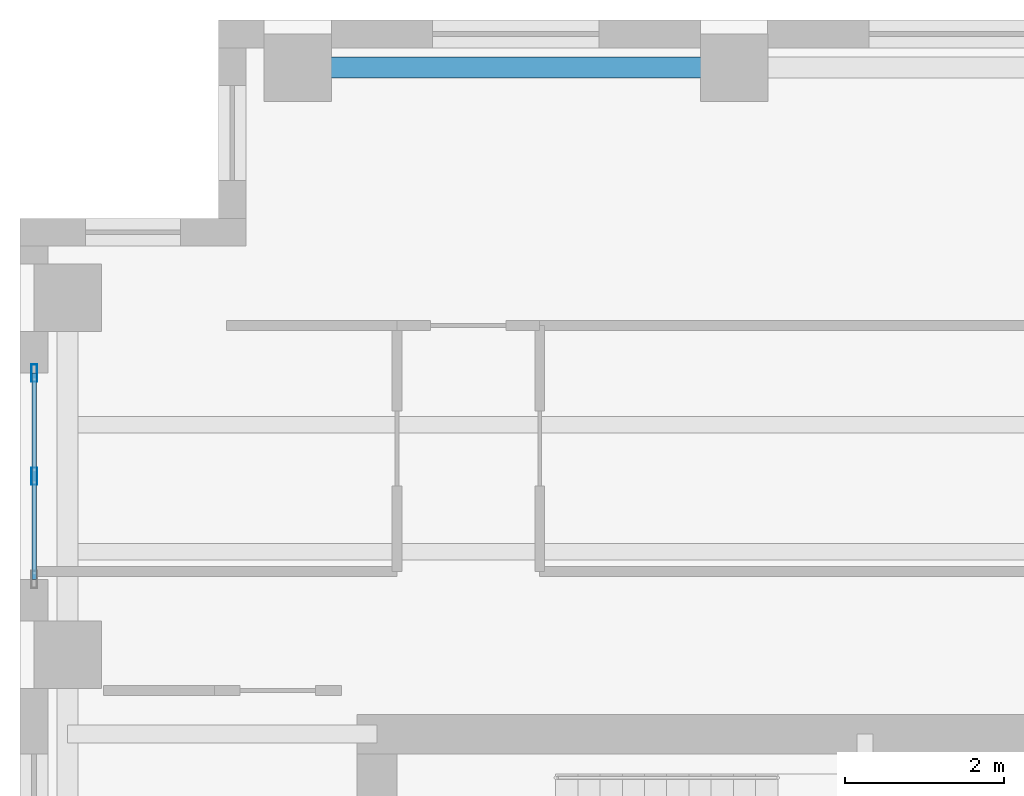
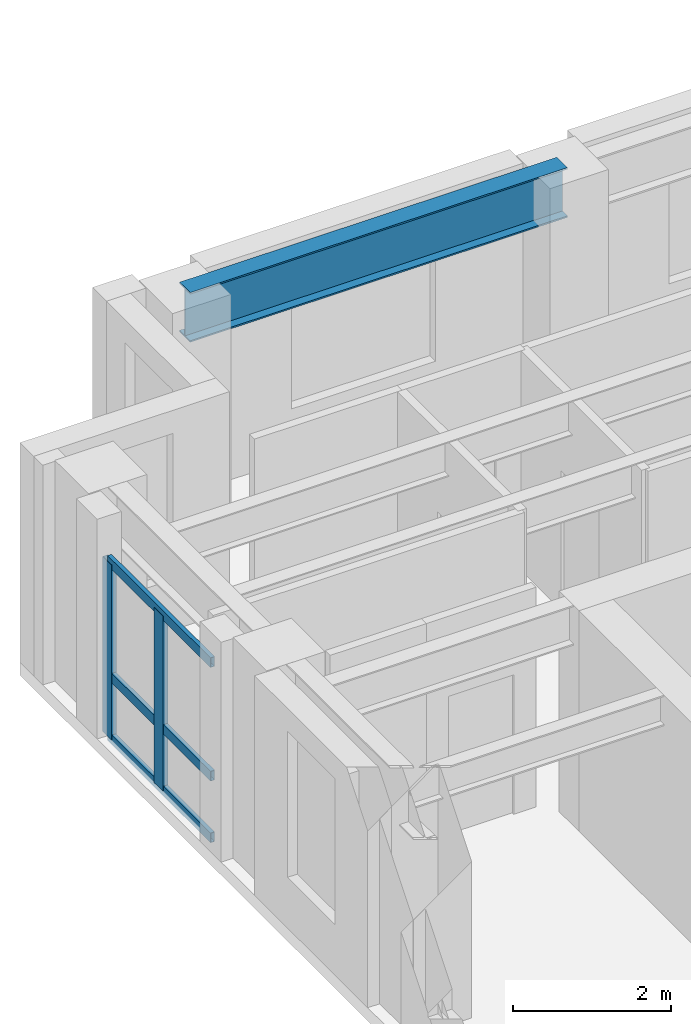
# One storey, part 4 of 14: 5 members, 1 beam, 1 element without a shape of its own.
"""IFC4 building model written with IfcOpenShell, lengths in metres."""

from ifc_helpers import new_model, si_unit, direction, frame, origin, origin_2d, place, context, subcontext, project, spatial, hollow_rectangle, i_section, extrude, source, transform, mapped, material, layer, layer_set, material_profile, profile_set, type_object, element, aggregate, save


model = new_model("IFC4")

# Units and contexts
model_context = context("Model", 3, precision=1e-05, world=origin(), true_north=direction((0.0, 1.0)))
body_context = subcontext(model_context, "Body", "Model", "MODEL_VIEW")
ifc_project = project(units=[si_unit("LENGTHUNIT", "METRE"), si_unit("AREAUNIT", "SQUARE_METRE"), si_unit("VOLUMEUNIT", "CUBIC_METRE"), si_unit("PLANEANGLEUNIT", "RADIAN"), si_unit("MASSUNIT", "GRAM", prefix="KILO")], contexts=[model_context])

# Site, building, storey
site_placement = place(None, origin())
site = spatial("IfcSite", under=ifc_project, at=site_placement, CompositionType="ELEMENT")
building_placement = place(site_placement, origin())
building = spatial("IfcBuilding", under=site, at=building_placement, Name="Kharzan Plaza Tower", CompositionType="ELEMENT")
storey_placement = place(building_placement, frame((0.0, 0.0, 241.199951171875)))
storey = spatial("IfcBuildingStorey", under=building, at=storey_placement, Name="L65", CompositionType="ELEMENT", Elevation=241.199951171875)

# Curtain wall, members
ifc_material_1 = material(Name="Unitised Bronze-Anodized Aluminium and Low-E Glass", Category="aluminium")
ifc_layer = layer(ifc_material_1, 0.199951171875)
ifc_layer_set = layer_set([ifc_layer], Name="Unitised Bronze-Anodized Aluminium and Low-E Glass")
curtain_wall_type = type_object("IfcCurtainWallType", Name="CW-EXEC-5", PredefinedType="NOTDEFINED", material=ifc_layer_set)
curtain_wall_placement = place(storey_placement, origin())
curtain_wall = element("IfcCurtainWall", 1, at=curtain_wall_placement, inside=storey, type_object=curtain_wall_type, Name="L65 Upper Executive Setback Panoramic Curtain Wall", PredefinedType="NOTDEFINED")
ifc_material_2 = material(Name="Anodized Bronze Aluminium", Category="aluminium")
ifc_material_profile_1 = material_profile(ifc_material_2, hollow_rectangle(XDim=0.074951171875, YDim=0.219970703125, WallThickness=0.00390625, at=origin_2d()), Name="ALU-M220x75x4")
ifc_profile_set_1 = profile_set([ifc_material_profile_1], Name="Anodized Bronze Aluminium")
member_type_1 = type_object("IfcMemberType", Name="MEM-CW-MUL200", PredefinedType="MULLION", material=ifc_profile_set_1)
shared_shape_1 = source(origin(), body_context, "Body", "SweptSolid", [
    extrude(hollow_rectangle(XDim=0.074951171875, YDim=0.219970703125, WallThickness=0.00390625, at=origin_2d()), origin(), (0.0, 0.0, 1.0), 2.699951171875),
])
member_1_placement = place(storey_placement, frame((0.179931640625, 32.75, 0.0), z_axis=(0.0, 0.0, 1.0), x_axis=(1.0, 0.0, 0.0)))
member_1 = element("IfcMember", 2, at=member_1_placement, type_object=member_type_1, Name="L65 Curtain-Wall Mullion 01", PredefinedType="MULLION", context=body_context, shape_type="MappedRepresentation", body=[
    mapped(shared_shape_1, transform((0.0, 0.0, 0.0), x_axis=(1.0, 0.0, 0.0), y_axis=(0.0, 1.0, 0.0), z_axis=(0.0, 0.0, 1.0))),
])
member_2_placement = place(storey_placement, frame((0.179931640625, 34.050048828125, 0.0), z_axis=(0.0, 0.0, 1.0), x_axis=(1.0, 0.0, 0.0)))
member_2 = element("IfcMember", 3, at=member_2_placement, type_object=member_type_1, Name="L65 Curtain-Wall Mullion 02", PredefinedType="MULLION", context=body_context, shape_type="MappedRepresentation", body=[
    mapped(shared_shape_1, transform((0.0, 0.0, 0.0), x_axis=(1.0, 0.0, 0.0), y_axis=(0.0, 1.0, 0.0), z_axis=(0.0, 0.0, 1.0))),
])

# Beam
ifc_material_3 = material(Name="Steel S355", Category="steel")
ifc_material_profile_2 = material_profile(ifc_material_3, i_section(OverallWidth=0.26708984375, OverallDepth=0.76611328125, WebThickness=0.014892578125, FlangeThickness=0.023681640625, at=origin_2d()), Name="W760x185")
ifc_profile_set_2 = profile_set([ifc_material_profile_2], Name="Steel S355")
beam_type = type_object("IfcBeamType", Name="BM-SP760B", PredefinedType="SPANDREL", material=ifc_profile_set_2)
shared_shape_2 = source(origin(), body_context, "Body", "SweptSolid", [
    extrude(i_section(OverallWidth=0.26708984375, OverallDepth=0.76611328125, WebThickness=0.014892578125, FlangeThickness=0.023681640625, at=origin_2d()), origin(), (0.0, 0.0, 1.0), 5.5),
])
beam_placement = place(storey_placement, frame((3.5, 37.89990234375, 3.01708984375), z_axis=(1.0, 0.0, 0.0), x_axis=(0.0, 1.0, 0.0)))
element("IfcBeam", 4, at=beam_placement, inside=storey, type_object=beam_type, Name="L65 Perimeter Tube Spandrel", PredefinedType="SPANDREL", context=body_context, shape_type="MappedRepresentation", body=[
    mapped(shared_shape_2, transform((0.0, 0.0, 0.0), x_axis=(1.0, 0.0, 0.0), y_axis=(0.0, 1.0, 0.0), z_axis=(0.0, 0.0, 1.0))),
])

# Member
ifc_material_profile_3 = material_profile(ifc_material_2, hollow_rectangle(XDim=0.06005859375, YDim=0.14990234375, WallThickness=0.00341796875, at=origin_2d()), Name="ALU-T150x60x3.5")
ifc_profile_set_3 = profile_set([ifc_material_profile_3], Name="Anodized Bronze Aluminium")
member_type_2 = type_object("IfcMemberType", Name="MEM-CW-TRN150", PredefinedType="USERDEFINED", material=ifc_profile_set_3)
shared_shape_3 = source(origin(), body_context, "Body", "SweptSolid", [
    extrude(hollow_rectangle(XDim=0.06005859375, YDim=0.14990234375, WallThickness=0.00341796875, at=origin_2d()), origin(), (0.0, 0.0, 1.0), 2.60009765625),
])
member_3_placement = place(storey_placement, frame((0.179931640625, 31.449951171875, 0.0), z_axis=(0.0, 1.0, 0.0), x_axis=(-1.0, 0.0, 0.0)))
member_3 = element("IfcMember", 5, at=member_3_placement, type_object=member_type_2, Name="L65 Curtain-Wall Transom 1", ObjectType="TRANSOM", PredefinedType="USERDEFINED", context=body_context, shape_type="MappedRepresentation", body=[
    mapped(shared_shape_3, transform((0.0, 0.0, 0.0), x_axis=(1.0, 0.0, 0.0), y_axis=(0.0, 1.0, 0.0), z_axis=(0.0, 0.0, 1.0))),
])

member_4_placement = place(storey_placement, frame((0.179931640625, 31.449951171875, 0.949951171875), z_axis=(0.0, 1.0, 0.0), x_axis=(-1.0, 0.0, 0.0)))
member_4 = element("IfcMember", 6, at=member_4_placement, type_object=member_type_2, Name="L65 Curtain-Wall Transom 2", ObjectType="TRANSOM", PredefinedType="USERDEFINED", context=body_context, shape_type="MappedRepresentation", body=[
    mapped(shared_shape_3, transform((0.0, 0.0, 0.0), x_axis=(1.0, 0.0, 0.0), y_axis=(0.0, 1.0, 0.0), z_axis=(0.0, 0.0, 1.0))),
])

member_5_placement = place(storey_placement, frame((0.179931640625, 31.449951171875, 2.699951171875), z_axis=(0.0, 1.0, 0.0), x_axis=(-1.0, 0.0, 0.0)))
member_5 = element("IfcMember", 7, at=member_5_placement, type_object=member_type_2, Name="L65 Curtain-Wall Transom 3", ObjectType="TRANSOM", PredefinedType="USERDEFINED", context=body_context, shape_type="MappedRepresentation", body=[
    mapped(shared_shape_3, transform((0.0, 0.0, 0.0), x_axis=(1.0, 0.0, 0.0), y_axis=(0.0, 1.0, 0.0), z_axis=(0.0, 0.0, 1.0))),
])

aggregate(curtain_wall, [member_1, member_2, member_3, member_4, member_5])

save(model, "model.ifc")
